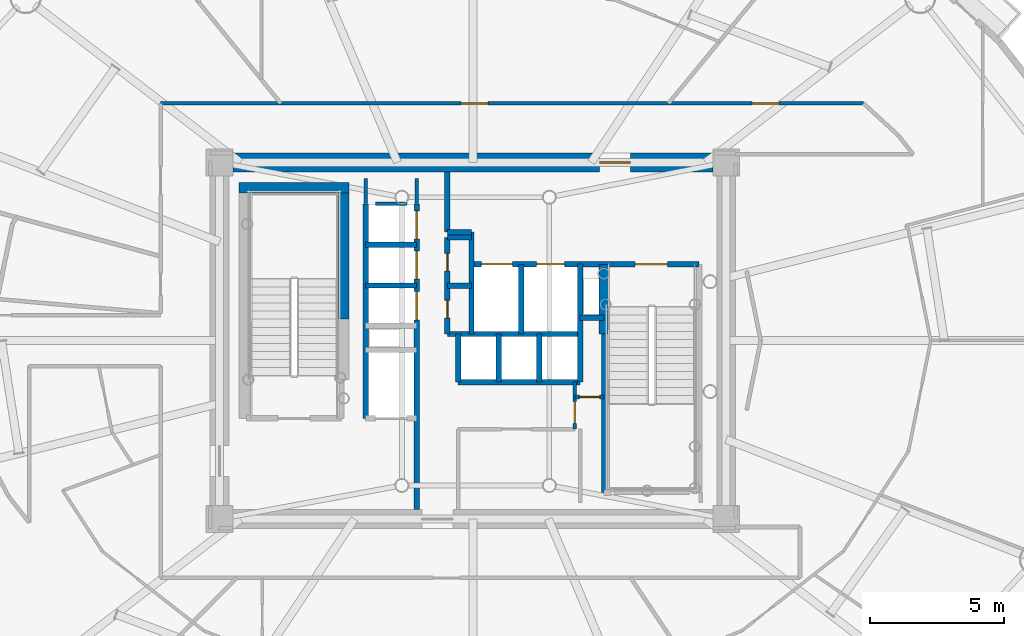
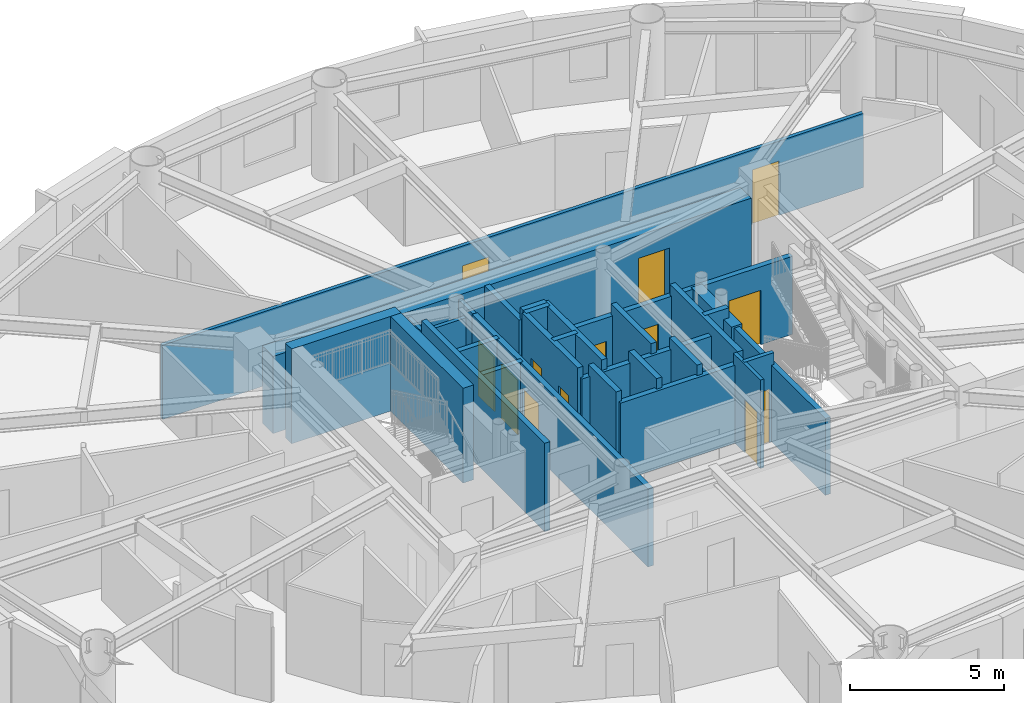
# One storey, part 10 of 19: 30 walls, 13 doors, 13 openings.
"""IFC4 building model written with IfcOpenShell, lengths in metres."""

from ifc_helpers import new_model, si_unit, direction, frame, frame_2d, origin, origin_2d, place, context, subcontext, project, spatial, rectangle, extrude, source, transform, mapped, material, layer, layer_set, type_object, element, fill, save


model = new_model("IFC4")

# Units and contexts
model_context = context("Model", 3, precision=1e-05, world=origin(), true_north=direction((0.0, 1.0)))
body_context = subcontext(model_context, "Body", "Model", "MODEL_VIEW")
ifc_project = project(units=[si_unit("LENGTHUNIT", "METRE"), si_unit("AREAUNIT", "SQUARE_METRE"), si_unit("VOLUMEUNIT", "CUBIC_METRE"), si_unit("PLANEANGLEUNIT", "RADIAN"), si_unit("MASSUNIT", "GRAM", prefix="KILO")], contexts=[model_context])

# Site, building, storey
site_placement = place(None, origin())
site = spatial("IfcSite", under=ifc_project, at=site_placement, CompositionType="ELEMENT")
building_placement = place(site_placement, origin())
building = spatial("IfcBuilding", under=site, at=building_placement, Name="Linh Dai School and Residence Tower", CompositionType="ELEMENT")
storey_placement = place(building_placement, frame((0.0, 0.0, 247.800048828125)))
storey = spatial("IfcBuildingStorey", under=building, at=storey_placement, Name="L61", CompositionType="ELEMENT", Elevation=247.800048828125)

# Wall, openings, doors
ifc_material_1 = material(Name="Autoclaved Aerated Concrete Blockwork", Category="masonry")
ifc_layer_1 = layer(ifc_material_1, 0.135009765625)
ifc_layer_set_1 = layer_set([ifc_layer_1], Name="Autoclaved Aerated Concrete Blockwork")
wall_type_1 = type_object("IfcWallType", Name="IW-CORR-135-EI90", PredefinedType="PARTITIONING", material=ifc_layer_set_1)
wall_1_placement = place(storey_placement, frame((24.35009765625, 35.85009765625, 0.0), z_axis=(0.0, 0.0, 1.0), x_axis=(1.0, 0.0, 0.0)))
wall_1 = element("IfcWall", 1, at=wall_1_placement, inside=storey, type_object=wall_type_1, Name="L61 Interior Partition Wall 022", PredefinedType="PARTITIONING", context=body_context, shape_type="SweptSolid", body=[
    extrude(rectangle(XDim=26.2177734375, YDim=0.135009765625, at=frame_2d((13.10888671875, 0.0))), origin(), (0.0, 0.0, 1.0), 2.93505859375),
])
opening_1_placement = place(wall_1_placement, frame((22.0615234375, 0.0, 0.0)))
opening_1 = element("IfcOpeningElement", 2, at=opening_1_placement, cuts=wall_1, Name="Opening D03", PredefinedType="OPENING", context=body_context, shape_type="SweptSolid", body=[
    extrude(rectangle(XDim=1.0, YDim=2.14990234375, at=origin_2d()), frame((0.5, 0.07763671875, 1.074951171875), z_axis=(0.0, -1.0, 0.0), x_axis=(1.0, 0.0, 0.0)), (0.0, 0.0, 1.0), 0.155029296875),
])
opening_2_placement = place(wall_1_placement, frame((11.21435546875, 0.0, 0.0)))
opening_2 = element("IfcOpeningElement", 3, at=opening_2_placement, cuts=wall_1, Name="Opening D03", PredefinedType="OPENING", context=body_context, shape_type="SweptSolid", body=[
    extrude(rectangle(XDim=1.0, YDim=2.14990234375, at=origin_2d()), frame((0.5, 0.07763671875, 1.074951171875), z_axis=(0.0, -1.0, 0.0), x_axis=(1.0, 0.0, 0.0)), (0.0, 0.0, 1.0), 0.155029296875),
])
ifc_material_2 = material(Name="Fire-Rated Solid Timber Entrance Door", Category="wood")
door_type_1 = type_object("IfcDoorType", Name="DR-FLAT-1000x2150-FD60S", OperationType="NOTDEFINED", PredefinedType="DOOR", material=ifc_material_2)
shared_shape_1 = source(origin(), body_context, "Body", "SweptSolid", [
    extrude(rectangle(XDim=1.0, YDim=2.14990234375, at=origin_2d()), frame((0.5, 0.02490234375, 1.074951171875), z_axis=(0.0, -1.0, 0.0), x_axis=(1.0, 0.0, 0.0)), (0.0, 0.0, 1.0), 0.050048828125),
])
door_1_placement = place(opening_1_placement, origin())
door_1 = element("IfcDoor", 4, at=door_1_placement, inside=storey, type_object=door_type_1, Name="L61 U6103 Apartment Entrance Door", OperationType="SINGLE_SWING_LEFT", OverallHeight=2.14990234375, OverallWidth=1.0, PredefinedType="DOOR", context=body_context, shape_type="MappedRepresentation", body=[
    mapped(shared_shape_1, transform((0.0, 0.0, 0.0), x_axis=(1.0, 0.0, 0.0), y_axis=(0.0, 1.0, 0.0), z_axis=(0.0, 0.0, 1.0), scale=1.0)),
])
fill(opening_1, door_1)
door_2_placement = place(opening_2_placement, origin())
door_2 = element("IfcDoor", 5, at=door_2_placement, inside=storey, type_object=door_type_1, Name="L61 U6104 Apartment Entrance Door", OperationType="SINGLE_SWING_RIGHT", OverallHeight=2.14990234375, OverallWidth=1.0, PredefinedType="DOOR", context=body_context, shape_type="MappedRepresentation", body=[
    mapped(shared_shape_1, transform((0.0, 0.0, 0.0), x_axis=(1.0, 0.0, 0.0), y_axis=(0.0, 1.0, 0.0), z_axis=(0.0, 0.0, 1.0), scale=1.0)),
])
fill(opening_2, door_2)

# Wall, opening, door
wall_2_placement = place(storey_placement, frame((39.800048828125, 23.699951171875, 0.0), z_axis=(0.0, 0.0, 1.0), x_axis=(0.0, 1.0, 0.0)))
wall_2 = element("IfcWall", 6, at=wall_2_placement, inside=storey, type_object=wall_type_1, Name="L61 Interior Partition Wall 056", PredefinedType="PARTITIONING", context=body_context, shape_type="SweptSolid", body=[
    extrude(rectangle(XDim=1.75, YDim=0.135009765625, at=frame_2d((0.875, 0.0))), origin(), (0.0, 0.0, 1.0), 3.5),
])
opening_3_placement = place(wall_2_placement, frame((0.2099609375, 0.0, 0.0)))
opening_3 = element("IfcOpeningElement", 7, at=opening_3_placement, cuts=wall_2, Name="Opening D06", PredefinedType="OPENING", context=body_context, shape_type="SweptSolid", body=[
    extrude(rectangle(XDim=0.820068359375, YDim=2.10009765625, at=origin_2d()), frame((0.41015625, 0.07763671875, 1.050048828125), z_axis=(0.0, -1.0, 0.0), x_axis=(1.0, 0.0, 0.0)), (0.0, 0.0, 1.0), 0.155029296875),
])
ifc_material_3 = material(Name="Moisture-Resistant Timber Bathroom Door", Category="wood")
door_type_2 = type_object("IfcDoorType", Name="DR-WET-820x2100", OperationType="NOTDEFINED", PredefinedType="DOOR", material=ifc_material_3)
shared_shape_2 = source(origin(), body_context, "Body", "SweptSolid", [
    extrude(rectangle(XDim=0.820068359375, YDim=2.10009765625, at=origin_2d()), frame((0.41015625, 0.02490234375, 1.050048828125), z_axis=(0.0, -1.0, 0.0), x_axis=(1.0, 0.0, 0.0)), (0.0, 0.0, 1.0), 0.050048828125),
])
door_3_placement = place(opening_3_placement, origin())
door_3 = element("IfcDoor", 8, at=door_3_placement, inside=storey, type_object=door_type_2, Name="L61 SE Metering Closet Door", OperationType="SINGLE_SWING_RIGHT", OverallHeight=2.10009765625, OverallWidth=0.820068359375, PredefinedType="DOOR", context=body_context, shape_type="MappedRepresentation", body=[
    mapped(shared_shape_2, transform((0.0, 0.0, 0.0), x_axis=(1.0, 0.0, 0.0), y_axis=(0.0, 1.0, 0.0), z_axis=(0.0, 0.0, 1.0), scale=1.0)),
])
fill(opening_3, door_3)

# Walls
wall_3_placement = place(storey_placement, frame((32.360107421875, 32.10009765625, 0.0), z_axis=(0.0, 0.0, 1.0), x_axis=(1.0, 0.0, 0.0)))
element("IfcWall", 9, at=wall_3_placement, inside=storey, type_object=wall_type_1, Name="L61 Interior Partition Wall 086", PredefinedType="PARTITIONING", context=body_context, shape_type="SweptSolid", body=[
    extrude(rectangle(XDim=1.179931640625, YDim=0.135009765625, at=frame_2d((0.58984375, 0.0))), origin(), (0.0, 0.0, 1.0), 3.0849609375),
])
wall_4_placement = place(storey_placement, frame((32.0, 33.0400390625, 0.0), z_axis=(0.0, 0.0, 1.0), x_axis=(0.0, -1.0, 0.0)))
element("IfcWall", 10, at=wall_4_placement, inside=storey, type_object=wall_type_1, Name="L61 Interior Partition Wall 088", PredefinedType="PARTITIONING", context=body_context, shape_type="SweptSolid", body=[
    extrude(rectangle(XDim=0.929931640625, YDim=0.135009765625, at=frame_2d((0.46484375, 0.0))), origin(), (0.0, 0.0, 1.0), 3.034912109375),
])
wall_5_placement = place(storey_placement, frame((33.89990234375, 32.110107421875, 0.0), z_axis=(0.0, 0.0, 1.0), x_axis=(0.0, 1.0, 0.0)))
element("IfcWall", 11, at=wall_5_placement, inside=storey, type_object=wall_type_1, Name="L61 Interior Partition Wall 090", PredefinedType="PARTITIONING", context=body_context, shape_type="SweptSolid", body=[
    extrude(rectangle(XDim=0.929931640625, YDim=0.135009765625, at=frame_2d((0.46484375, 0.0))), origin(), (0.0, 0.0, 1.0), 3.0849609375),
])

# Wall, opening, door
ifc_layer_2 = layer(ifc_material_1, 0.14990234375)
ifc_layer_set_2 = layer_set([ifc_layer_2], Name="Autoclaved Aerated Concrete Blockwork")
wall_type_2 = type_object("IfcWallType", Name="IW-SCH-150-EI60", PredefinedType="PARTITIONING", material=ifc_layer_set_2)
wall_6_placement = place(storey_placement, frame((39.800048828125, 24.89990234375, 0.0), z_axis=(0.0, 0.0, 1.0), x_axis=(1.0, 0.0, 0.0)))
wall_6 = element("IfcWall", 12, at=wall_6_placement, inside=storey, type_object=wall_type_2, Name="L61 Interior Partition Wall 057", PredefinedType="PARTITIONING", context=body_context, shape_type="SweptSolid", body=[
    extrude(rectangle(XDim=1.099853515625, YDim=0.14990234375, at=frame_2d((0.5498046875, 0.0))), origin(), (0.0, 0.0, 1.0), 3.5),
])
opening_4_placement = place(wall_6_placement, frame((0.169921875, 0.0, 0.0)))
opening_4 = element("IfcOpeningElement", 13, at=opening_4_placement, cuts=wall_6, Name="Opening D08", PredefinedType="OPENING", context=body_context, shape_type="SweptSolid", body=[
    extrude(rectangle(XDim=0.760009765625, YDim=2.10009765625, at=origin_2d()), frame((0.3798828125, 0.0849609375, 1.050048828125), z_axis=(0.0, -1.0, 0.0), x_axis=(1.0, 0.0, 0.0)), (0.0, 0.0, 1.0), 0.169921875),
])
ifc_material_4 = material(Name="Engineered Timber Closet and Study Door", Category="wood")
door_type_3 = type_object("IfcDoorType", Name="DR-CMP-760x2100", OperationType="NOTDEFINED", PredefinedType="DOOR", material=ifc_material_4)
shared_shape_3 = source(origin(), body_context, "Body", "SweptSolid", [
    extrude(rectangle(XDim=0.760009765625, YDim=2.10009765625, at=origin_2d()), frame((0.3798828125, 0.02490234375, 1.050048828125), z_axis=(0.0, -1.0, 0.0), x_axis=(1.0, 0.0, 0.0)), (0.0, 0.0, 1.0), 0.050048828125),
])
door_4_placement = place(opening_4_placement, origin())
door_4 = element("IfcDoor", 14, at=door_4_placement, inside=storey, type_object=door_type_3, Name="L61 NE Cleaners Store Door", OperationType="SINGLE_SWING_LEFT", OverallHeight=2.10009765625, OverallWidth=0.760009765625, PredefinedType="DOOR", context=body_context, shape_type="MappedRepresentation", body=[
    mapped(shared_shape_3, transform((0.0, 0.0, 0.0), x_axis=(1.0, 0.0, 0.0), y_axis=(0.0, 1.0, 0.0), z_axis=(0.0, 0.0, 1.0), scale=1.0)),
])
fill(opening_4, door_4)

# Walls
ifc_material_5 = material(Name="Concrete B45 (C35/45)", Category="concrete")
ifc_layer_3 = layer(ifc_material_5, 0.199951171875)
ifc_layer_set_3 = layer_set([ifc_layer_3], Name="Concrete B45 (C35/45)")
wall_type_3 = type_object("IfcWallType", Name="IW-SHAFT-200-EI120", PredefinedType="PARTITIONING", material=ifc_layer_set_3)
wall_7_placement = place(storey_placement, frame((32.0, 24.10009765625, 0.0), z_axis=(0.0, 0.0, 1.0), x_axis=(0.0, 1.0, 0.0)))
element("IfcWall", 15, at=wall_7_placement, inside=storey, type_object=wall_type_3, Name="L61 Interior Partition Wall 031", PredefinedType="PARTITIONING", context=body_context, shape_type="SweptSolid", body=[
    extrude(rectangle(XDim=8.0, YDim=0.199951171875, at=frame_2d((4.0, 0.0))), origin(), (0.0, 0.0, 1.0), 3.5),
])
for number, where, z_axis, x_axis, name in (
    (16, (32.0, 29.06005859375, 0.0), (0.0, 0.0, 1.0), (1.0, 0.0, 0.0), "L61 Interior Partition Wall 035"),
    (17, (32.0, 30.580078125, 0.0), (0.0, 0.0, 1.0), (1.0, 0.0, 0.0), "L61 Interior Partition Wall 036"),
):
    element("IfcWall", number, at=place(storey_placement, frame(where, z_axis=z_axis, x_axis=x_axis)), inside=storey, type_object=wall_type_3, Name=name, PredefinedType="PARTITIONING", context=body_context, shape_type="SweptSolid", body=[
        extrude(rectangle(XDim=1.89990234375, YDim=0.199951171875, at=frame_2d((0.949951171875, 0.0))), origin(), (0.0, 0.0, 1.0), 3.0849609375),
    ])

# Wall, openings, doors
wall_8_placement = place(storey_placement, frame((33.89990234375, 20.699951171875, 0.0), z_axis=(0.0, 0.0, 1.0), x_axis=(0.0, 1.0, 0.0)))
wall_8 = element("IfcWall", 18, at=wall_8_placement, inside=storey, type_object=wall_type_3, Name="L61 Interior Partition Wall 037", PredefinedType="PARTITIONING", context=body_context, shape_type="SweptSolid", body=[
    extrude(rectangle(XDim=11.400146484375, YDim=0.199951171875, at=frame_2d((5.7001953125, 0.0))), origin(), (0.0, 0.0, 1.0), 3.0849609375),
])
opening_5_placement = place(wall_8_placement, frame((7.080078125, 0.0, 0.0)))
opening_5 = element("IfcOpeningElement", 19, at=opening_5_placement, cuts=wall_8, Name="Opening LD-PL4", PredefinedType="OPENING", context=body_context, shape_type="SweptSolid", body=[
    extrude(rectangle(XDim=1.050048828125, YDim=2.14990234375, at=origin_2d()), frame((0.52490234375, 0.10986328125, 1.074951171875), z_axis=(0.0, -1.0, 0.0), x_axis=(1.0, 0.0, 0.0)), (0.0, 0.0, 1.0), 0.219970703125),
])
opening_6_placement = place(wall_8_placement, frame((8.594970703125, 0.0, 0.0)))
opening_6 = element("IfcOpeningElement", 20, at=opening_6_placement, cuts=wall_8, Name="Opening LD-PL5", PredefinedType="OPENING", context=body_context, shape_type="SweptSolid", body=[
    extrude(rectangle(XDim=1.050048828125, YDim=2.14990234375, at=origin_2d()), frame((0.52490234375, 0.10986328125, 1.074951171875), z_axis=(0.0, -1.0, 0.0), x_axis=(1.0, 0.0, 0.0)), (0.0, 0.0, 1.0), 0.219970703125),
])
opening_7_placement = place(wall_8_placement, frame((10.094970703125, 0.0, 0.0)))
opening_7 = element("IfcOpeningElement", 21, at=opening_7_placement, cuts=wall_8, Name="Opening LD-PL6", PredefinedType="OPENING", context=body_context, shape_type="SweptSolid", body=[
    extrude(rectangle(XDim=1.050048828125, YDim=2.14990234375, at=origin_2d()), frame((0.52490234375, 0.10986328125, 1.074951171875), z_axis=(0.0, -1.0, 0.0), x_axis=(1.0, 0.0, 0.0)), (0.0, 0.0, 1.0), 0.219970703125),
])
ifc_material_6 = material(Name="Brushed Stainless Steel Lift Landing Door", Category="steel")
door_type_4 = type_object("IfcDoorType", Name="DR-LD-PASS-1050x2150", OperationType="DOUBLE_DOOR_SLIDING", PredefinedType="USERDEFINED", material=ifc_material_6)
shared_shape_4 = source(origin(), body_context, "Body", "SweptSolid", [
    extrude(rectangle(XDim=1.050048828125, YDim=2.14990234375, at=origin_2d()), frame((0.52490234375, 0.02490234375, 1.074951171875), z_axis=(0.0, -1.0, 0.0), x_axis=(1.0, 0.0, 0.0)), (0.0, 0.0, 1.0), 0.050048828125),
])
door_5_placement = place(opening_5_placement, origin())
door_5 = element("IfcDoor", 22, at=door_5_placement, inside=storey, type_object=door_type_4, Name="L61 Lift PL4 Sliding Landing Door", ObjectType="LANDING DOOR", OperationType="DOUBLE_DOOR_SLIDING", OverallHeight=2.14990234375, OverallWidth=1.050048828125, PredefinedType="USERDEFINED", context=body_context, shape_type="MappedRepresentation", body=[
    mapped(shared_shape_4, transform((0.0, 0.0, 0.0), x_axis=(1.0, 0.0, 0.0), y_axis=(0.0, 1.0, 0.0), z_axis=(0.0, 0.0, 1.0), scale=1.0)),
])
fill(opening_5, door_5)
door_6_placement = place(opening_6_placement, origin())
door_6 = element("IfcDoor", 23, at=door_6_placement, inside=storey, type_object=door_type_4, Name="L61 Lift PL5 Sliding Landing Door", ObjectType="LANDING DOOR", OperationType="DOUBLE_DOOR_SLIDING", OverallHeight=2.14990234375, OverallWidth=1.050048828125, PredefinedType="USERDEFINED", context=body_context, shape_type="MappedRepresentation", body=[
    mapped(shared_shape_4, transform((0.0, 0.0, 0.0), x_axis=(1.0, 0.0, 0.0), y_axis=(0.0, 1.0, 0.0), z_axis=(0.0, 0.0, 1.0), scale=1.0)),
])
fill(opening_6, door_6)
door_7_placement = place(opening_7_placement, origin())
door_7 = element("IfcDoor", 24, at=door_7_placement, inside=storey, type_object=door_type_4, Name="L61 Lift PL6 Sliding Landing Door", ObjectType="LANDING DOOR", OperationType="DOUBLE_DOOR_SLIDING", OverallHeight=2.14990234375, OverallWidth=1.050048828125, PredefinedType="USERDEFINED", context=body_context, shape_type="MappedRepresentation", body=[
    mapped(shared_shape_4, transform((0.0, 0.0, 0.0), x_axis=(1.0, 0.0, 0.0), y_axis=(0.0, 1.0, 0.0), z_axis=(0.0, 0.0, 1.0), scale=1.0)),
])
fill(opening_7, door_7)

wall_9_placement = place(storey_placement, frame((35.050048828125, 27.25, 0.0), z_axis=(0.0, 0.0, 1.0), x_axis=(0.0, 1.0, 0.0)))
wall_9 = element("IfcWall", 25, at=wall_9_placement, inside=storey, type_object=wall_type_3, Name="L61 Interior Partition Wall 039", PredefinedType="PARTITIONING", context=body_context, shape_type="SweptSolid", body=[
    extrude(rectangle(XDim=3.60009765625, YDim=0.199951171875, at=frame_2d((1.800048828125, 0.0))), origin(), (0.0, 0.0, 1.0), 3.5),
])
opening_8_placement = place(wall_9_placement, frame((0.590087890625, 0.0, 0.0)))
opening_8 = element("IfcOpeningElement", 26, at=opening_8_placement, cuts=wall_9, Name="Opening AD1", PredefinedType="OPENING", context=body_context, shape_type="SweptSolid", body=[
    extrude(rectangle(XDim=0.659912109375, YDim=2.050048828125, at=origin_2d()), frame((0.330078125, 0.10986328125, 1.02490234375), z_axis=(0.0, -1.0, 0.0), x_axis=(1.0, 0.0, 0.0)), (0.0, 0.0, 1.0), 0.219970703125),
])
opening_9_placement = place(wall_9_placement, frame((2.35009765625, 0.0, 0.0)))
opening_9 = element("IfcOpeningElement", 27, at=opening_9_placement, cuts=wall_9, Name="Opening AD1", PredefinedType="OPENING", context=body_context, shape_type="SweptSolid", body=[
    extrude(rectangle(XDim=0.659912109375, YDim=2.050048828125, at=origin_2d()), frame((0.330078125, 0.10986328125, 1.02490234375), z_axis=(0.0, -1.0, 0.0), x_axis=(1.0, 0.0, 0.0)), (0.0, 0.0, 1.0), 0.219970703125),
])
ifc_material_7 = material(Name="Fire-Rated Steel Riser Access Door", Category="steel")
door_type_5 = type_object("IfcDoorType", Name="DR-ACC-660x2050-FD90S", OperationType="NOTDEFINED", PredefinedType="USERDEFINED", material=ifc_material_7)
shared_shape_5 = source(origin(), body_context, "Body", "SweptSolid", [
    extrude(rectangle(XDim=0.659912109375, YDim=2.050048828125, at=origin_2d()), frame((0.330078125, 0.02490234375, 1.02490234375), z_axis=(0.0, -1.0, 0.0), x_axis=(1.0, 0.0, 0.0)), (0.0, 0.0, 1.0), 0.050048828125),
])
door_8_placement = place(opening_8_placement, origin())
door_8 = element("IfcDoor", 28, at=door_8_placement, inside=storey, type_object=door_type_5, Name="L61 Telecom and Data Riser Access Door", ObjectType="ACCESS DOOR", OperationType="SINGLE_SWING_LEFT", OverallHeight=2.050048828125, OverallWidth=0.659912109375, PredefinedType="USERDEFINED", context=body_context, shape_type="MappedRepresentation", body=[
    mapped(shared_shape_5, transform((0.0, 0.0, 0.0), x_axis=(1.0, 0.0, 0.0), y_axis=(0.0, 1.0, 0.0), z_axis=(0.0, 0.0, 1.0), scale=1.0)),
])
fill(opening_8, door_8)
door_9_placement = place(opening_9_placement, origin())
door_9 = element("IfcDoor", 29, at=door_9_placement, inside=storey, type_object=door_type_5, Name="L61 Mechanical and Plumbing Riser Access Door", ObjectType="ACCESS DOOR", OperationType="SINGLE_SWING_RIGHT", OverallHeight=2.050048828125, OverallWidth=0.659912109375, PredefinedType="USERDEFINED", context=body_context, shape_type="MappedRepresentation", body=[
    mapped(shared_shape_5, transform((0.0, 0.0, 0.0), x_axis=(1.0, 0.0, 0.0), y_axis=(0.0, 1.0, 0.0), z_axis=(0.0, 0.0, 1.0), scale=1.0)),
])
fill(opening_9, door_9)

# Walls
wall_10_placement = place(storey_placement, frame((35.050048828125, 27.25, 0.0), z_axis=(0.0, 0.0, 1.0), x_axis=(1.0, 0.0, 0.0)))
element("IfcWall", 30, at=wall_10_placement, inside=storey, type_object=wall_type_3, Name="L61 Interior Partition Wall 040", PredefinedType="PARTITIONING", context=body_context, shape_type="SweptSolid", body=[
    extrude(rectangle(XDim=4.949951171875, YDim=0.199951171875, at=frame_2d((2.47509765625, 0.0))), origin(), (0.0, 0.0, 1.0), 3.0849609375),
])
for number, where, z_axis, x_axis, name in (
    (31, (35.050048828125, 29.050048828125, 0.0), (0.0, 0.0, 1.0), (1.0, 0.0, 0.0), "L61 Interior Partition Wall 041"),
    (32, (35.050048828125, 30.85009765625, 0.0), (0.0, 0.0, 1.0), (1.0, 0.0, 0.0), "L61 Interior Partition Wall 042"),
):
    element("IfcWall", number, at=place(storey_placement, frame(where, z_axis=z_axis, x_axis=x_axis)), inside=storey, type_object=wall_type_3, Name=name, PredefinedType="PARTITIONING", context=body_context, shape_type="SweptSolid", body=[
        extrude(rectangle(XDim=0.89990234375, YDim=0.199951171875, at=frame_2d((0.449951171875, 0.0))), origin(), (0.0, 0.0, 1.0), 3.5),
    ])
wall_11_placement = place(storey_placement, frame((35.050048828125, 31.050048828125, 0.0), z_axis=(0.0, 0.0, 1.0), x_axis=(0.0, 1.0, 0.0)))
element("IfcWall", 33, at=wall_11_placement, inside=storey, type_object=wall_type_3, Name="L61 Interior Partition Wall 043", PredefinedType="PARTITIONING", context=body_context, shape_type="SweptSolid", body=[
    extrude(rectangle(XDim=2.25, YDim=0.199951171875, at=frame_2d((1.125, 0.0))), origin(), (0.0, 0.0, 1.0), 3.0849609375),
])
wall_12_placement = place(storey_placement, frame((35.050048828125, 31.050048828125, 0.0), z_axis=(0.0, 0.0, 1.0), x_axis=(1.0, 0.0, 0.0)))
element("IfcWall", 34, at=wall_12_placement, inside=storey, type_object=wall_type_3, Name="L61 Interior Partition Wall 044", PredefinedType="PARTITIONING", context=body_context, shape_type="SweptSolid", body=[
    extrude(rectangle(XDim=0.89990234375, YDim=0.199951171875, at=frame_2d((0.449951171875, 0.0))), origin(), (0.0, 0.0, 1.0), 3.5),
])
wall_13_placement = place(storey_placement, frame((35.449951171875, 25.449951171875, 0.0), z_axis=(0.0, 0.0, 1.0), x_axis=(0.0, 1.0, 0.0)))
element("IfcWall", 35, at=wall_13_placement, inside=storey, type_object=wall_type_3, Name="L61 Interior Partition Wall 047", PredefinedType="PARTITIONING", context=body_context, shape_type="SweptSolid", body=[
    extrude(rectangle(XDim=1.800048828125, YDim=0.199951171875, at=frame_2d((0.89990234375, 0.0))), origin(), (0.0, 0.0, 1.0), 3.5),
])
wall_14_placement = place(storey_placement, frame((35.449951171875, 25.449951171875, 0.0), z_axis=(0.0, 0.0, 1.0), x_axis=(1.0, 0.0, 0.0)))
element("IfcWall", 36, at=wall_14_placement, inside=storey, type_object=wall_type_3, Name="L61 Interior Partition Wall 048", PredefinedType="PARTITIONING", context=body_context, shape_type="SweptSolid", body=[
    extrude(rectangle(XDim=4.550048828125, YDim=0.199951171875, at=frame_2d((2.27490234375, 0.0))), origin(), (0.0, 0.0, 1.0), 3.0849609375),
])
wall_15_placement = place(storey_placement, frame((35.949951171875, 27.25, 0.0), z_axis=(0.0, 0.0, 1.0), x_axis=(0.0, 1.0, 0.0)))
element("IfcWall", 37, at=wall_15_placement, inside=storey, type_object=wall_type_3, Name="L61 Interior Partition Wall 049", PredefinedType="PARTITIONING", context=body_context, shape_type="SweptSolid", body=[
    extrude(rectangle(XDim=3.800048828125, YDim=0.199951171875, at=frame_2d((1.89990234375, 0.0))), origin(), (0.0, 0.0, 1.0), 3.5),
])

# Wall, openings, doors
wall_16_placement = place(storey_placement, frame((35.949951171875, 29.85009765625, 0.0), z_axis=(0.0, 0.0, 1.0), x_axis=(1.0, 0.0, 0.0)))
wall_16 = element("IfcWall", 38, at=wall_16_placement, inside=storey, type_object=wall_type_3, Name="L61 Interior Partition Wall 050", PredefinedType="PARTITIONING", context=body_context, shape_type="SweptSolid", body=[
    extrude(rectangle(XDim=8.489990234375, YDim=0.199951171875, at=frame_2d((4.2451171875, 0.0))), origin(), (0.0, 0.0, 1.0), 3.0849609375),
])
opening_10_placement = place(wall_16_placement, frame((6.10009765625, 0.0, 0.0)))
opening_10 = element("IfcOpeningElement", 39, at=opening_10_placement, cuts=wall_16, Name="Opening D01", PredefinedType="OPENING", context=body_context, shape_type="SweptSolid", body=[
    extrude(rectangle(XDim=1.199951171875, YDim=2.14990234375, at=origin_2d()), frame((0.60009765625, 0.10986328125, 1.074951171875), z_axis=(0.0, -1.0, 0.0), x_axis=(1.0, 0.0, 0.0)), (0.0, 0.0, 1.0), 0.219970703125),
])
opening_11_placement = place(wall_16_placement, frame((0.3701171875, 0.0, 0.0)))
opening_11 = element("IfcOpeningElement", 40, at=opening_11_placement, cuts=wall_16, Name="Opening LD-FF1", PredefinedType="OPENING", context=body_context, shape_type="SweptSolid", body=[
    extrude(rectangle(XDim=1.14990234375, YDim=2.14990234375, at=origin_2d()), frame((0.574951171875, 0.10986328125, 1.074951171875), z_axis=(0.0, -1.0, 0.0), x_axis=(1.0, 0.0, 0.0)), (0.0, 0.0, 1.0), 0.219970703125),
])
opening_12_placement = place(wall_16_placement, frame((2.425048828125, 0.0, 0.0)))
opening_12 = element("IfcOpeningElement", 41, at=opening_12_placement, cuts=wall_16, Name="Opening LD-SV1", PredefinedType="OPENING", context=body_context, shape_type="SweptSolid", body=[
    extrude(rectangle(XDim=1.050048828125, YDim=2.14990234375, at=origin_2d()), frame((0.52490234375, 0.10986328125, 1.074951171875), z_axis=(0.0, -1.0, 0.0), x_axis=(1.0, 0.0, 0.0)), (0.0, 0.0, 1.0), 0.219970703125),
])
ifc_material_8 = material(Name="Fire-Rated Steel Door Leaf", Category="steel")
door_type_6 = type_object("IfcDoorType", Name="DR-STAIR-1200x2150-FD90S", OperationType="NOTDEFINED", PredefinedType="DOOR", material=ifc_material_8)
shared_shape_6 = source(origin(), body_context, "Body", "SweptSolid", [
    extrude(rectangle(XDim=1.199951171875, YDim=2.14990234375, at=origin_2d()), frame((0.60009765625, 0.02490234375, 1.074951171875), z_axis=(0.0, -1.0, 0.0), x_axis=(1.0, 0.0, 0.0)), (0.0, 0.0, 1.0), 0.050048828125),
])
door_10_placement = place(opening_10_placement, origin())
door_10 = element("IfcDoor", 42, at=door_10_placement, inside=storey, type_object=door_type_6, Name="L61 Core Smokeproof Exit Stair ST2 Door", OperationType="SINGLE_SWING_RIGHT", OverallHeight=2.14990234375, OverallWidth=1.199951171875, PredefinedType="DOOR", context=body_context, shape_type="MappedRepresentation", body=[
    mapped(shared_shape_6, transform((0.0, 0.0, 0.0), x_axis=(1.0, 0.0, 0.0), y_axis=(0.0, 1.0, 0.0), z_axis=(0.0, 0.0, 1.0), scale=1.0)),
])
fill(opening_10, door_10)
ifc_material_9 = material(Name="Fire-Rated Stainless Steel Firefighting Lift Door", Category="steel")
door_type_7 = type_object("IfcDoorType", Name="DR-LD-FF-1150x2150-FD120", OperationType="DOUBLE_DOOR_SLIDING", PredefinedType="USERDEFINED", material=ifc_material_9)
shared_shape_7 = source(origin(), body_context, "Body", "SweptSolid", [
    extrude(rectangle(XDim=1.14990234375, YDim=2.14990234375, at=origin_2d()), frame((0.574951171875, 0.02490234375, 1.074951171875), z_axis=(0.0, -1.0, 0.0), x_axis=(1.0, 0.0, 0.0)), (0.0, 0.0, 1.0), 0.050048828125),
])
door_11_placement = place(opening_11_placement, origin())
door_11 = element("IfcDoor", 43, at=door_11_placement, inside=storey, type_object=door_type_7, Name="L61 Lift FF1 Sliding Landing Door", ObjectType="LANDING DOOR", OperationType="DOUBLE_DOOR_SLIDING", OverallHeight=2.14990234375, OverallWidth=1.14990234375, PredefinedType="USERDEFINED", context=body_context, shape_type="MappedRepresentation", body=[
    mapped(shared_shape_7, transform((0.0, 0.0, 0.0), x_axis=(1.0, 0.0, 0.0), y_axis=(0.0, 1.0, 0.0), z_axis=(0.0, 0.0, 1.0), scale=1.0)),
])
fill(opening_11, door_11)
door_12_placement = place(opening_12_placement, origin())
door_12 = element("IfcDoor", 44, at=door_12_placement, inside=storey, type_object=door_type_4, Name="L61 Lift SV1 Sliding Landing Door", ObjectType="LANDING DOOR", OperationType="DOUBLE_DOOR_SLIDING", OverallHeight=2.14990234375, OverallWidth=1.050048828125, PredefinedType="USERDEFINED", context=body_context, shape_type="MappedRepresentation", body=[
    mapped(shared_shape_4, transform((0.0, 0.0, 0.0), x_axis=(1.0, 0.0, 0.0), y_axis=(0.0, 1.0, 0.0), z_axis=(0.0, 0.0, 1.0), scale=1.0)),
])
fill(opening_12, door_12)

# Walls
wall_17_placement = place(storey_placement, frame((36.9599609375, 25.449951171875, 0.0), z_axis=(0.0, 0.0, 1.0), x_axis=(0.0, 1.0, 0.0)))
element("IfcWall", 45, at=wall_17_placement, inside=storey, type_object=wall_type_3, Name="L61 Interior Partition Wall 053", PredefinedType="PARTITIONING", context=body_context, shape_type="SweptSolid", body=[
    extrude(rectangle(XDim=1.800048828125, YDim=0.199951171875, at=frame_2d((0.89990234375, 0.0))), origin(), (0.0, 0.0, 1.0), 3.5),
])
wall_18_placement = place(storey_placement, frame((37.800048828125, 27.25, 0.0), z_axis=(0.0, 0.0, 1.0), x_axis=(0.0, 1.0, 0.0)))
element("IfcWall", 46, at=wall_18_placement, inside=storey, type_object=wall_type_3, Name="L61 Interior Partition Wall 054", PredefinedType="PARTITIONING", context=body_context, shape_type="SweptSolid", body=[
    extrude(rectangle(XDim=2.60009765625, YDim=0.199951171875, at=frame_2d((1.300048828125, 0.0))), origin(), (0.0, 0.0, 1.0), 3.5),
])
wall_19_placement = place(storey_placement, frame((38.47998046875, 25.449951171875, 0.0), z_axis=(0.0, 0.0, 1.0), x_axis=(0.0, 1.0, 0.0)))
element("IfcWall", 47, at=wall_19_placement, inside=storey, type_object=wall_type_3, Name="L61 Interior Partition Wall 055", PredefinedType="PARTITIONING", context=body_context, shape_type="SweptSolid", body=[
    extrude(rectangle(XDim=1.800048828125, YDim=0.199951171875, at=frame_2d((0.89990234375, 0.0))), origin(), (0.0, 0.0, 1.0), 3.5),
])
wall_20_placement = place(storey_placement, frame((40.0, 25.449951171875, 0.0), z_axis=(0.0, 0.0, 1.0), x_axis=(0.0, 1.0, 0.0)))
element("IfcWall", 48, at=wall_20_placement, inside=storey, type_object=wall_type_3, Name="L61 Interior Partition Wall 058", PredefinedType="PARTITIONING", context=body_context, shape_type="SweptSolid", body=[
    extrude(rectangle(XDim=4.400146484375, YDim=0.199951171875, at=frame_2d((2.2001953125, 0.0))), origin(), (0.0, 0.0, 1.0), 3.5),
])
wall_21_placement = place(storey_placement, frame((40.0, 27.85009765625, 0.0), z_axis=(0.0, 0.0, 1.0), x_axis=(1.0, 0.0, 0.0)))
element("IfcWall", 49, at=wall_21_placement, inside=storey, type_object=wall_type_3, Name="L61 Interior Partition Wall 059", PredefinedType="PARTITIONING", context=body_context, shape_type="SweptSolid", body=[
    extrude(rectangle(XDim=0.89990234375, YDim=0.199951171875, at=frame_2d((0.449951171875, 0.0))), origin(), (0.0, 0.0, 1.0), 3.5),
])
wall_22_placement = place(storey_placement, frame((40.89990234375, 21.330078125, 0.0), z_axis=(0.0, 0.0, 1.0), x_axis=(0.0, 1.0, 0.0)))
element("IfcWall", 50, at=wall_22_placement, inside=storey, type_object=wall_type_3, Name="L61 Interior Partition Wall 061", PredefinedType="PARTITIONING", context=body_context, shape_type="SweptSolid", body=[
    extrude(rectangle(XDim=5.909912109375, YDim=0.199951171875, at=frame_2d((2.955078125, 0.0))), origin(), (0.0, 0.0, 1.0), 3.034912109375),
])
ifc_layer_4 = layer(ifc_material_5, 0.39990234375)
ifc_layer_set_4 = layer_set([ifc_layer_4], Name="Concrete B45 (C35/45)")
wall_type_4 = type_object("IfcWallType", Name="WL-CORE400", PredefinedType="SHEAR", material=ifc_layer_set_4)
wall_23_placement = place(storey_placement, frame((31.179931640625, 27.800048828125, 0.0), z_axis=(0.0, 0.0, 1.0), x_axis=(0.0, 1.0, 0.0)))
element("IfcWall", 51, at=wall_23_placement, inside=storey, type_object=wall_type_4, Name="L61 Core Stair ST1 Bearing Wall E", PredefinedType="SHEAR", context=body_context, shape_type="SweptSolid", body=[
    extrude(rectangle(XDim=4.89990234375, YDim=0.39990234375, at=frame_2d((2.449951171875, 0.0))), origin(), (0.0, 0.0, 1.0), 3.75),
])
wall_24_placement = place(storey_placement, frame((27.280029296875, 32.699951171875, 0.0), z_axis=(0.0, 0.0, 1.0), x_axis=(1.0, 0.0, 0.0)))
element("IfcWall", 52, at=wall_24_placement, inside=storey, type_object=wall_type_4, Name="L61 Core Stair ST1 Bearing Wall N", PredefinedType="SHEAR", context=body_context, shape_type="SweptSolid", body=[
    extrude(rectangle(XDim=4.099853515625, YDim=0.39990234375, at=frame_2d((2.0498046875, 0.0))), origin(), (0.0, 0.0, 1.0), 3.75),
])
wall_25_placement = place(storey_placement, frame((40.89990234375, 27.25, 0.0), z_axis=(0.0, 0.0, 1.0), x_axis=(0.0, 1.0, 0.0)))
element("IfcWall", 53, at=wall_25_placement, inside=storey, type_object=wall_type_4, Name="L61 Internal Core Shear Wall IE", PredefinedType="SHEAR", context=body_context, shape_type="SweptSolid", body=[
    extrude(rectangle(XDim=2.60009765625, YDim=0.39990234375, at=frame_2d((1.300048828125, 0.0))), origin(), (0.0, 0.0, 1.0), 3.099853515625),
])

# Wall, opening, door
ifc_layer_5 = layer(ifc_material_5, 0.699951171875)
ifc_layer_set_5 = layer_set([ifc_layer_5], Name="Concrete B45 (C35/45)")
wall_type_5 = type_object("IfcWallType", Name="WL-CORE700", PredefinedType="SHEAR", material=ifc_layer_set_5)
wall_26_placement = place(storey_placement, frame((27.050048828125, 33.64990234375, 0.0), z_axis=(0.0, 0.0, 1.0), x_axis=(1.0, 0.0, 0.0)))
wall_26 = element("IfcWall", 54, at=wall_26_placement, inside=storey, type_object=wall_type_5, Name="L61 Central Core Shear Wall N", PredefinedType="SHEAR", context=body_context, shape_type="SweptSolid", body=[
    extrude(rectangle(XDim=17.89990234375, YDim=0.699951171875, at=frame_2d((8.949951171875, 0.0))), origin(), (0.0, 0.0, 1.0), 3.050048828125),
])
opening_13_placement = place(wall_26_placement, frame((13.675048828125, 0.0, 0.0)))
opening_13 = element("IfcOpeningElement", 55, at=opening_13_placement, cuts=wall_26, Name="Opening D02", PredefinedType="OPENING", context=body_context, shape_type="SweptSolid", body=[
    extrude(rectangle(XDim=1.14990234375, YDim=2.14990234375, at=origin_2d()), frame((0.574951171875, 0.35986328125, 1.074951171875), z_axis=(0.0, -1.0, 0.0), x_axis=(1.0, 0.0, 0.0)), (0.0, 0.0, 1.0), 0.719970703125),
])
ifc_material_10 = material(Name="Fire-Rated Glazed Steel Lobby Door", Category="steel")
door_type_8 = type_object("IfcDoorType", Name="DR-LOBBY-1150x2150-FD90S", OperationType="NOTDEFINED", PredefinedType="DOOR", material=ifc_material_10)
shared_shape_8 = source(origin(), body_context, "Body", "SweptSolid", [
    extrude(rectangle(XDim=1.14990234375, YDim=2.14990234375, at=origin_2d()), frame((0.574951171875, 0.02490234375, 1.074951171875), z_axis=(0.0, -1.0, 0.0), x_axis=(1.0, 0.0, 0.0)), (0.0, 0.0, 1.0), 0.050048828125),
])
door_13_placement = place(opening_13_placement, origin())
door_13 = element("IfcDoor", 56, at=door_13_placement, inside=storey, type_object=door_type_8, Name="L61 Firefighting Lobby Door", OperationType="SINGLE_SWING_LEFT", OverallHeight=2.14990234375, OverallWidth=1.14990234375, PredefinedType="DOOR", context=body_context, shape_type="MappedRepresentation", body=[
    mapped(shared_shape_8, transform((0.0, 0.0, 0.0), x_axis=(1.0, 0.0, 0.0), y_axis=(0.0, 1.0, 0.0), z_axis=(0.0, 0.0, 1.0), scale=1.0)),
])
fill(opening_13, door_13)

save(model, "model.ifc")
